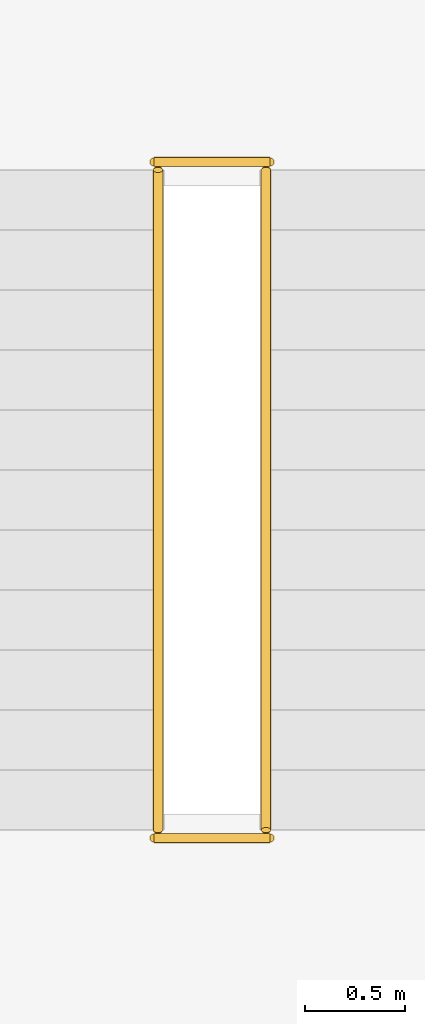
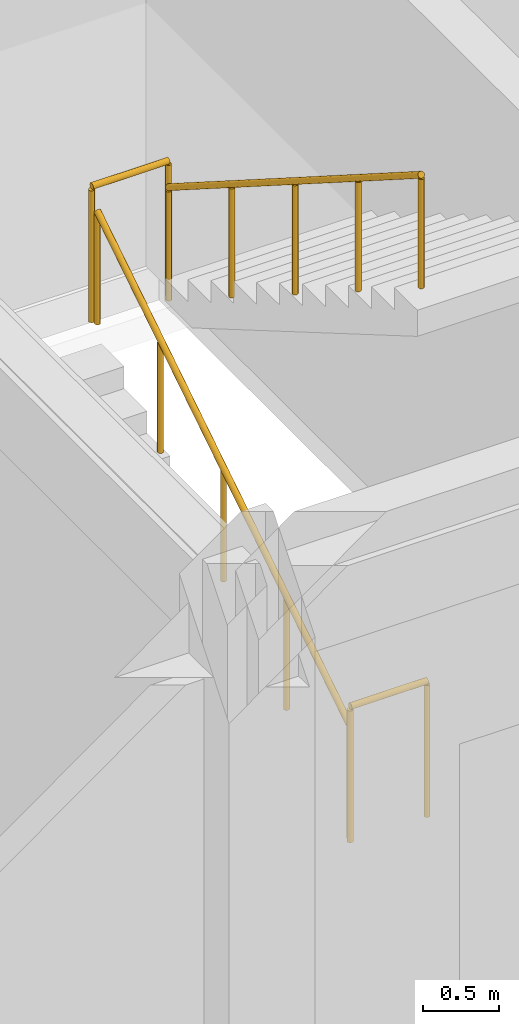
# One storey, part 55 of 57: 4 railings.
"""IFC4 building model written with IfcOpenShell, lengths in metres."""

from ifc_helpers import new_model, si_unit, direction, frame, origin, origin_2d, place, context, subcontext, project, spatial, circle, hollow_circle, extrude, material, material_profile, profile_set, type_object, element, save


model = new_model("IFC4")

# Units and contexts
model_context = context("Model", 3, precision=1e-05, world=origin(), true_north=direction((0.0, 1.0)))
body_context = subcontext(model_context, "Body", "Model", "MODEL_VIEW")
ifc_project = project(units=[si_unit("LENGTHUNIT", "METRE"), si_unit("AREAUNIT", "SQUARE_METRE"), si_unit("VOLUMEUNIT", "CUBIC_METRE"), si_unit("PLANEANGLEUNIT", "RADIAN"), si_unit("MASSUNIT", "GRAM", prefix="KILO")], contexts=[model_context])

# Site, building, storey
site_placement = place(None, origin())
site = spatial("IfcSite", under=ifc_project, at=site_placement, CompositionType="ELEMENT")
building_placement = place(site_placement, origin())
building = spatial("IfcBuilding", under=site, at=building_placement, Name="Zizhar Promenade General Hospital", CompositionType="ELEMENT")
storey_placement = place(building_placement, frame((0.0, 0.0, 22.199951171875)))
storey = spatial("IfcBuildingStorey", under=building, at=storey_placement, Name="L05", CompositionType="ELEMENT", Elevation=22.199951171875)

# Railings
ifc_material_1 = material(Name="Anodised aluminium 6063-T6", Category="aluminium")
ifc_material_profile_1 = material_profile(ifc_material_1, hollow_circle(Radius=0.06982421875, WallThickness=0.00634765625, at=origin_2d()))
ifc_profile_set_1 = profile_set([ifc_material_profile_1], Name="Anodised aluminium 6063-T6")
railing_type_1 = type_object("IfcRailingType", Name="RL-HANDRAIL-920", PredefinedType="HANDRAIL", material=ifc_profile_set_1)
railing_1_placement = place(storey_placement, frame((79.89990234375, 10.35009765625, 0.0)))
element("IfcRailing", 1, at=railing_1_placement, inside=storey, type_object=railing_type_1, Name="Stair ST-04 Flight 1 Handrail (L05)", PredefinedType="HANDRAIL", context=body_context, shape_type="SweptSolid", body=[
    extrude(circle(Radius=0.02392578125, at=origin_2d()), frame((0.0, 0.0, 0.89599609375), z_axis=(0.0, 0.843635785416, 0.536915879413), x_axis=(-1.0, 0.0, 0.0)), (0.0, 0.0, 1.0), 3.911376953125),
    extrude(circle(Radius=0.02099609375, at=origin_2d()), origin(), (0.0, 0.0, 1.0), 0.871826171875),
    extrude(circle(Radius=0.02099609375, at=origin_2d()), frame((0.0, 0.824951171875, 0.52490234375)), (0.0, 0.0, 1.0), 0.871826171875),
    extrude(circle(Radius=0.02099609375, at=origin_2d()), frame((0.0, 1.64990234375, 1.050048828125)), (0.0, 0.0, 1.0), 0.871826171875),
    extrude(circle(Radius=0.02099609375, at=origin_2d()), frame((0.0, 2.474853515625, 1.5751953125)), (0.0, 0.0, 1.0), 0.871826171875),
    extrude(circle(Radius=0.02099609375, at=origin_2d()), frame((0.0, 3.2998046875, 2.10009765625)), (0.0, 0.0, 1.0), 0.871826171875),
])
railing_2_placement = place(storey_placement, frame((80.43994140625, 13.64990234375, 2.10009765625)))
element("IfcRailing", 2, at=railing_2_placement, inside=storey, type_object=railing_type_1, Name="Stair ST-04 Flight 2 Handrail (L05)", PredefinedType="HANDRAIL", context=body_context, shape_type="SweptSolid", body=[
    extrude(circle(Radius=0.02392578125, at=origin_2d()), frame((0.0, 0.0, 0.89599609375), z_axis=(0.0, -0.843664057944, 0.536871453268), x_axis=(1.0, 0.0, 0.0)), (0.0, 0.0, 1.0), 3.911376953125),
    extrude(circle(Radius=0.02099609375, at=origin_2d()), origin(), (0.0, 0.0, 1.0), 0.871826171875),
    extrude(circle(Radius=0.02099609375, at=origin_2d()), frame((0.0, -0.824951171875, 0.52490234375)), (0.0, 0.0, 1.0), 0.871826171875),
    extrude(circle(Radius=0.02099609375, at=origin_2d()), frame((0.0, -1.64990234375, 1.0498046875)), (0.0, 0.0, 1.0), 0.871826171875),
    extrude(circle(Radius=0.02099609375, at=origin_2d()), frame((0.0, -2.474853515625, 1.574951171875)), (0.0, 0.0, 1.0), 0.871826171875),
    extrude(circle(Radius=0.02099609375, at=origin_2d()), frame((0.0, -3.2998046875, 2.099853515625)), (0.0, 0.0, 1.0), 0.871826171875),
])
ifc_material_2 = material(Name="Steel S355", Category="steel")
ifc_material_profile_2 = material_profile(ifc_material_2, hollow_circle(Radius=0.06982421875, WallThickness=0.00634765625, at=origin_2d()))
ifc_profile_set_2 = profile_set([ifc_material_profile_2], Name="Steel S355")
railing_type_2 = type_object("IfcRailingType", Name="RL-STAIR-GUARD-1100", PredefinedType="GUARDRAIL", material=ifc_profile_set_2)
for number, where, name in (
    (3, (79.8798828125, 13.68994140625, 2.10009765625), "Stair ST-04 Half-Landing Guard (L05)"),
    (4, (79.8798828125, 10.31005859375, 0.0), "Stair ST-04 Landing Well Guard (L05)"),
):
    element("IfcRailing", number, at=place(storey_placement, frame(where)), inside=storey, type_object=railing_type_2, Name=name, PredefinedType="GUARDRAIL", context=body_context, shape_type="SweptSolid", body=[
        extrude(circle(Radius=0.02392578125, at=origin_2d()), frame((0.0, 0.0, 1.076171875), z_axis=(1.0, 0.0, 0.0), x_axis=(0.0, 1.0, 0.0)), (0.0, 0.0, 1.0), 0.580078125),
        extrude(circle(Radius=0.02099609375, at=origin_2d()), origin(), (0.0, 0.0, 1.0), 1.052001953125),
        extrude(circle(Radius=0.02099609375, at=origin_2d()), frame((0.580078125, 0.0, 0.0)), (0.0, 0.0, 1.0), 1.052001953125),
    ])

save(model, "model.ifc")
